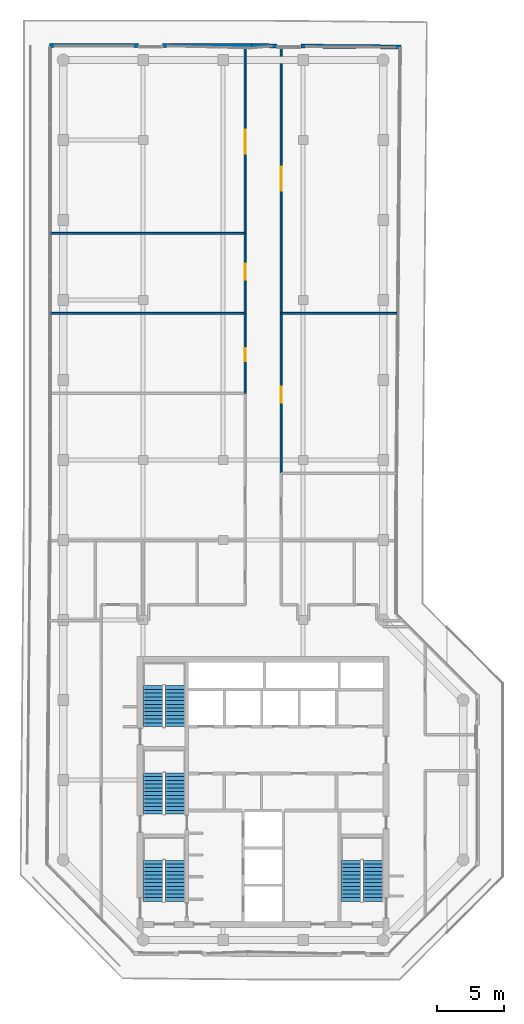
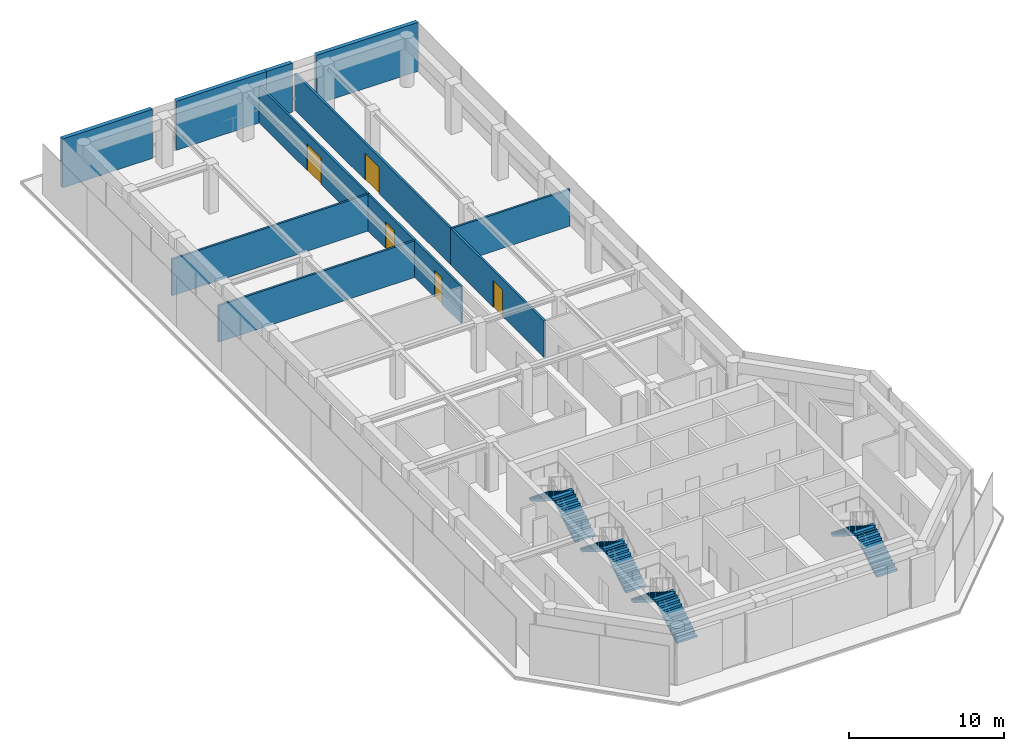
# One storey, part 17 of 19: 12 walls, 8 stair flights, 5 doors, 5 openings, 4 elements without a shape of their own.
"""IFC4 building model written with IfcOpenShell, lengths in metres."""

from ifc_helpers import new_model, si_unit, direction, frame, frame_2d, origin, place, context, subcontext, project, spatial, polyline, rectangle, outline, extrude, material, layer, layer_set, type_object, element, fill, aggregate, save


model = new_model("IFC4")

# Units and contexts
model_context = context("Model", 3, precision=1e-05, world=origin(), true_north=direction((0.0, 1.0)))
body_context = subcontext(model_context, "Body", "Model", "MODEL_VIEW")
ifc_project = project(units=[si_unit("LENGTHUNIT", "METRE"), si_unit("AREAUNIT", "SQUARE_METRE"), si_unit("VOLUMEUNIT", "CUBIC_METRE"), si_unit("PLANEANGLEUNIT", "RADIAN"), si_unit("MASSUNIT", "GRAM", prefix="KILO")], contexts=[model_context])

# Site, building, storey
site_placement = place(None, origin())
site = spatial("IfcSite", under=ifc_project, at=site_placement, CompositionType="ELEMENT")
building_placement = place(site_placement, origin())
building = spatial("IfcBuilding", under=site, at=building_placement, Name="Welwitschia Terrace Campus", CompositionType="ELEMENT")
storey_placement = place(building_placement, frame((0.0, 0.0, 230.60009765625)))
storey = spatial("IfcBuildingStorey", under=building, at=storey_placement, Name="L51", CompositionType="ELEMENT", Elevation=230.60009765625)

# Walls
ifc_material_1 = material(Name="Gypsum board on steel studs", Category="steel")
ifc_layer_1 = layer(ifc_material_1, 0.14990234375)
ifc_layer_set_1 = layer_set([ifc_layer_1], Name="Gypsum board on steel studs")
wall_type_1 = type_object("IfcWallType", Name="Corridor partition 150 EI 30", PredefinedType="PARTITIONING", material=ifc_layer_set_1)
for number, where, z_axis, x_axis, name in (
    (1, (-0.97998046875, 51.0, 0.0), (0.0, 0.0, 1.0), (1.0, 0.0, 0.0), "Partition"),
    (2, (-0.97998046875, 57.0, 0.0), (0.0, 0.0, 1.0), (1.0, 0.0, 0.0), "Partition"),
):
    element("IfcWall", number, at=place(storey_placement, frame(where, z_axis=z_axis, x_axis=x_axis)), inside=storey, type_object=wall_type_1, Name=name, PredefinedType="PARTITIONING", context=body_context, shape_type="SweptSolid", body=[
        extrude(rectangle(XDim=14.6298828125, YDim=0.14990234375, at=frame_2d((7.31494140625, 0.0))), origin(), (0.0, 0.0, 1.0), 2.8798828125),
    ])

# Wall, opening, door
wall_1_placement = place(storey_placement, frame((13.64990234375, 45.0, 0.0), z_axis=(0.0, 0.0, 1.0), x_axis=(0.0, 1.0, 0.0)))
wall_1 = element("IfcWall", 3, at=wall_1_placement, inside=storey, type_object=wall_type_1, Name="Partition", PredefinedType="PARTITIONING", context=body_context, shape_type="SweptSolid", body=[
    extrude(rectangle(XDim=6.0, YDim=0.14990234375, at=frame_2d((3.0, 0.0))), origin(), (0.0, 0.0, 1.0), 2.8798828125),
])
opening_1_placement = place(wall_1_placement, frame((2.39990234375, 0.0, 0.0)))
opening_1 = element("IfcOpeningElement", 4, at=opening_1_placement, cuts=wall_1, Name="Opening DI10", PredefinedType="OPENING", context=body_context, shape_type="SweptSolid", body=[
    extrude(rectangle(XDim=1.0, YDim=2.10009765625, at=frame_2d((0.5, 1.050048828125))), frame((0.0, 0.0849609375, 0.0), z_axis=(0.0, -1.0, 0.0), x_axis=(1.0, 0.0, 0.0)), (0.0, 0.0, 1.0), 0.169921875),
])
ifc_material_2 = material(Name="Timber veneered door", Category="wood")
door_type_1 = type_object("IfcDoorType", Name="Interior door DI10", OperationType="NOTDEFINED", PredefinedType="DOOR", material=ifc_material_2)
door_1_placement = place(opening_1_placement, origin())
door_1 = element("IfcDoor", 5, at=door_1_placement, inside=storey, type_object=door_type_1, Name="Door L51 952", OperationType="SINGLE_SWING_LEFT", OverallHeight=2.10009765625, OverallWidth=1.0, PredefinedType="DOOR", context=body_context, shape_type="SweptSolid", body=[
    extrude(rectangle(XDim=1.0, YDim=2.10009765625, at=frame_2d((0.5, 1.050048828125))), frame((0.0, 0.02490234375, 0.0), z_axis=(0.0, -1.0, 0.0), x_axis=(1.0, 0.0, 0.0)), (0.0, 0.0, 1.0), 0.050048828125),
])
fill(opening_1, door_1)

wall_2_placement = place(storey_placement, frame((13.64990234375, 51.0, 0.0), z_axis=(0.0, 0.0, 1.0), x_axis=(0.0, 1.0, 0.0)))
wall_2 = element("IfcWall", 6, at=wall_2_placement, inside=storey, type_object=wall_type_1, Name="Partition", PredefinedType="PARTITIONING", context=body_context, shape_type="SweptSolid", body=[
    extrude(rectangle(XDim=6.0, YDim=0.14990234375, at=frame_2d((3.0, 0.0))), origin(), (0.0, 0.0, 1.0), 2.8798828125),
])
opening_2_placement = place(wall_2_placement, frame((2.5, 0.0, 0.0)))
opening_2 = element("IfcOpeningElement", 7, at=opening_2_placement, cuts=wall_2, Name="Opening DI12", PredefinedType="OPENING", context=body_context, shape_type="SweptSolid", body=[
    extrude(rectangle(XDim=1.199951171875, YDim=2.10009765625, at=frame_2d((0.60009765625, 1.050048828125))), frame((0.0, 0.0849609375, 0.0), z_axis=(0.0, -1.0, 0.0), x_axis=(1.0, 0.0, 0.0)), (0.0, 0.0, 1.0), 0.169921875),
])
ifc_material_3 = material(Name="Timber veneered door", Category="wood")
door_type_2 = type_object("IfcDoorType", Name="Interior door DI12", OperationType="NOTDEFINED", PredefinedType="DOOR", material=ifc_material_3)
door_2_placement = place(opening_2_placement, origin())
door_2 = element("IfcDoor", 8, at=door_2_placement, inside=storey, type_object=door_type_2, Name="Door L51 953", OperationType="SINGLE_SWING_RIGHT", OverallHeight=2.10009765625, OverallWidth=1.199951171875, PredefinedType="DOOR", context=body_context, shape_type="SweptSolid", body=[
    extrude(rectangle(XDim=1.199951171875, YDim=2.10009765625, at=frame_2d((0.60009765625, 1.050048828125))), frame((0.0, 0.02490234375, 0.0), z_axis=(0.0, -1.0, 0.0), x_axis=(1.0, 0.0, 0.0)), (0.0, 0.0, 1.0), 0.050048828125),
])
fill(opening_2, door_2)

wall_3_placement = place(storey_placement, frame((13.64990234375, 71.090087890625, 0.0), z_axis=(0.0, 0.0, 1.0), x_axis=(0.0, -1.0, 0.0)))
wall_3 = element("IfcWall", 9, at=wall_3_placement, inside=storey, type_object=wall_type_1, Name="Partition", PredefinedType="PARTITIONING", context=body_context, shape_type="SweptSolid", body=[
    extrude(rectangle(XDim=14.090087890625, YDim=0.14990234375, at=frame_2d((7.044921875, 0.0))), origin(), (0.0, 0.0, 1.0), 2.8798828125),
])
opening_3_placement = place(wall_3_placement, frame((6.31005859375, 0.0, 0.0)))
opening_3 = element("IfcOpeningElement", 10, at=opening_3_placement, cuts=wall_3, Name="Opening DI18", PredefinedType="OPENING", context=body_context, shape_type="SweptSolid", body=[
    extrude(rectangle(XDim=1.800048828125, YDim=2.10009765625, at=frame_2d((0.89990234375, 1.050048828125))), frame((0.0, 0.0849609375, 0.0), z_axis=(0.0, -1.0, 0.0), x_axis=(1.0, 0.0, 0.0)), (0.0, 0.0, 1.0), 0.169921875),
])
ifc_material_4 = material(Name="Timber veneered door", Category="wood")
door_type_3 = type_object("IfcDoorType", Name="Interior door DI18", OperationType="DOUBLE_DOOR_SINGLE_SWING", PredefinedType="DOOR", material=ifc_material_4)
door_3_placement = place(opening_3_placement, origin())
door_3 = element("IfcDoor", 11, at=door_3_placement, inside=storey, type_object=door_type_3, Name="Door L51 954", OperationType="SINGLE_SWING_LEFT", OverallHeight=2.10009765625, OverallWidth=1.800048828125, PredefinedType="DOOR", context=body_context, shape_type="SweptSolid", body=[
    extrude(rectangle(XDim=1.800048828125, YDim=2.10009765625, at=frame_2d((0.89990234375, 1.050048828125))), frame((0.0, 0.02490234375, 0.0), z_axis=(0.0, -1.0, 0.0), x_axis=(1.0, 0.0, 0.0)), (0.0, 0.0, 1.0), 0.050048828125),
])
fill(opening_3, door_3)

wall_4_placement = place(storey_placement, frame((16.35009765625, 39.0, 0.0), z_axis=(0.0, 0.0, 1.0), x_axis=(0.0, 1.0, 0.0)))
wall_4 = element("IfcWall", 12, at=wall_4_placement, inside=storey, type_object=wall_type_1, Name="Partition", PredefinedType="PARTITIONING", context=body_context, shape_type="SweptSolid", body=[
    extrude(rectangle(XDim=12.0, YDim=0.14990234375, at=frame_2d((6.0, 0.0))), origin(), (0.0, 0.0, 1.0), 2.8798828125),
])
opening_4_placement = place(wall_4_placement, frame((5.300048828125, 0.0, 0.0)))
opening_4 = element("IfcOpeningElement", 13, at=opening_4_placement, cuts=wall_4, Name="Opening DI12", PredefinedType="OPENING", context=body_context, shape_type="SweptSolid", body=[
    extrude(rectangle(XDim=1.199951171875, YDim=2.10009765625, at=frame_2d((0.60009765625, 1.050048828125))), frame((0.0, 0.0849609375, 0.0), z_axis=(0.0, -1.0, 0.0), x_axis=(1.0, 0.0, 0.0)), (0.0, 0.0, 1.0), 0.169921875),
])
door_4_placement = place(opening_4_placement, origin())
door_4 = element("IfcDoor", 14, at=door_4_placement, inside=storey, type_object=door_type_2, Name="Door L51 956", OperationType="SINGLE_SWING_LEFT", OverallHeight=2.10009765625, OverallWidth=1.199951171875, PredefinedType="DOOR", context=body_context, shape_type="SweptSolid", body=[
    extrude(rectangle(XDim=1.199951171875, YDim=2.10009765625, at=frame_2d((0.60009765625, 1.050048828125))), frame((0.0, 0.02490234375, 0.0), z_axis=(0.0, -1.0, 0.0), x_axis=(1.0, 0.0, 0.0)), (0.0, 0.0, 1.0), 0.050048828125),
])
fill(opening_4, door_4)

wall_5_placement = place(storey_placement, frame((16.35009765625, 51.0, 0.0), z_axis=(0.0, 0.0, 1.0), x_axis=(0.0, 1.0, 0.0)))
wall_5 = element("IfcWall", 15, at=wall_5_placement, inside=storey, type_object=wall_type_1, Name="Partition", PredefinedType="PARTITIONING", context=body_context, shape_type="SweptSolid", body=[
    extrude(rectangle(XDim=20.070556640625, YDim=0.14990234375, at=frame_2d((10.03515625, 0.0))), origin(), (0.0, 0.0, 1.0), 2.8798828125),
])
opening_5_placement = place(wall_5_placement, frame((9.199951171875, 0.0, 0.0)))
opening_5 = element("IfcOpeningElement", 16, at=opening_5_placement, cuts=wall_5, Name="Opening DI18", PredefinedType="OPENING", context=body_context, shape_type="SweptSolid", body=[
    extrude(rectangle(XDim=1.800048828125, YDim=2.10009765625, at=frame_2d((0.89990234375, 1.050048828125))), frame((0.0, 0.0849609375, 0.0), z_axis=(0.0, -1.0, 0.0), x_axis=(1.0, 0.0, 0.0)), (0.0, 0.0, 1.0), 0.169921875),
])
door_5_placement = place(opening_5_placement, origin())
door_5 = element("IfcDoor", 17, at=door_5_placement, inside=storey, type_object=door_type_3, Name="Door L51 957", OperationType="SINGLE_SWING_LEFT", OverallHeight=2.10009765625, OverallWidth=1.800048828125, PredefinedType="DOOR", context=body_context, shape_type="SweptSolid", body=[
    extrude(rectangle(XDim=1.800048828125, YDim=2.10009765625, at=frame_2d((0.89990234375, 1.050048828125))), frame((0.0, 0.02490234375, 0.0), z_axis=(0.0, -1.0, 0.0), x_axis=(1.0, 0.0, 0.0)), (0.0, 0.0, 1.0), 0.050048828125),
])
fill(opening_5, door_5)

# Walls
wall_6_placement = place(storey_placement, frame((16.35009765625, 51.0, 0.0), z_axis=(0.0, 0.0, 1.0), x_axis=(1.0, 0.0, 0.0)))
element("IfcWall", 18, at=wall_6_placement, inside=storey, type_object=wall_type_1, Name="Partition", PredefinedType="PARTITIONING", context=body_context, shape_type="SweptSolid", body=[
    extrude(rectangle(XDim=8.760009765625, YDim=0.14990234375, at=frame_2d((4.3798828125, 0.0))), origin(), (0.0, 0.0, 1.0), 2.8798828125),
])
ifc_material_5 = material(Name="Concrete C40/50", Category="concrete")
ifc_layer_2 = layer(ifc_material_5, 0.300048828125)
ifc_layer_set_2 = layer_set([ifc_layer_2], Name="Concrete C40/50")
wall_type_2 = type_object("IfcWallType", Name="Mass wall 300", PredefinedType="SOLIDWALL", material=ifc_layer_set_2)
for number, where, z_axis, x_axis, name in (
    (19, (14.124267578125, 71.080078125, 0.0), (0.0, 0.0, 1.0), (-1.0, 0.0, 0.0), "Mass wall L51.0.0"),
    (20, (5.647216796875, 71.078125, 0.0), (0.0, 0.0, 1.0), (-1.0, 0.0, 0.0), "Mass wall L51.0.1"),
):
    element("IfcWall", number, at=place(storey_placement, frame(where, z_axis=z_axis, x_axis=x_axis)), inside=storey, type_object=wall_type_2, Name=name, PredefinedType="SOLIDWALL", context=body_context, shape_type="SweptSolid", body=[
        extrude(rectangle(XDim=6.67724609375, YDim=0.300048828125, at=frame_2d((3.338623046875, 0.0))), origin(), (0.0, 0.0, 1.0), 3.849853515625),
    ])
wall_7_placement = place(storey_placement, frame((25.332275390625, 70.980224609375, 0.0), z_axis=(0.0, 0.0, 1.0), x_axis=(-0.999961723794, 0.008749339829, 0.0)))
element("IfcWall", 21, at=wall_7_placement, inside=storey, type_object=wall_type_2, Name="Mass wall L51.11.0", PredefinedType="SOLIDWALL", context=body_context, shape_type="SweptSolid", body=[
    extrude(rectangle(XDim=7.506103515625, YDim=0.300048828125, at=frame_2d((3.7529296875, 0.0))), origin(), (0.0, 0.0, 1.0), 3.849853515625),
])
wall_8_placement = place(storey_placement, frame((16.026611328125, 71.0634765625, 0.0), z_axis=(0.0, 0.0, 1.0), x_axis=(-0.999961913014, 0.008727687086, 0.0)))
element("IfcWall", 22, at=wall_8_placement, inside=storey, type_object=wall_type_2, Name="Mass wall L51.11.1", PredefinedType="SOLIDWALL", context=body_context, shape_type="SweptSolid", body=[
    extrude(rectangle(XDim=1.902099609375, YDim=0.300048828125, at=frame_2d((0.951171875, 0.0))), origin(), (0.0, 0.0, 1.0), 3.849853515625),
])

# Stair, stair flights
ifc_material_6 = material(Name="Concrete C40/50", Category="concrete")
stair_type = type_object("IfcStairType", Name="Stair 24R 175 W1500", PredefinedType="HALF_TURN_STAIR", material=ifc_material_6)
stair_1_placement = place(storey_placement, origin())
stair_1 = element("IfcStair", 23, at=stair_1_placement, inside=storey, type_object=stair_type, Name="L51 Exit stair S1", PredefinedType="HALF_TURN_STAIR")
ifc_material_7 = material(Name="Concrete C40/50", Category="concrete")
stair_flight_type = type_object("IfcStairFlightType", Name="Stair flight 24R 175 W1500", PredefinedType="STRAIGHT", material=ifc_material_7)
stair_flight_1_placement = place(storey_placement, frame((8.39990234375, 6.89990234375, 0.0), z_axis=(0.0, 0.0, 1.0), x_axis=(0.0, 1.0, 0.0)))
stair_flight_1 = element("IfcStairFlight", 24, at=stair_flight_1_placement, type_object=stair_flight_type, Name="S1 flight 1", NumberOfRisers=12, NumberOfTreads=11, PredefinedType="STRAIGHT", RiserHeight=0.175, TreadLength=0.28, context=body_context, shape_type="SweptSolid", body=[
    extrude(outline(polyline([(0.0, 0.0), (0.0, 0.175048828125), (0.280029296875, 0.175048828125), (0.280029296875, 0.35009765625), (0.56005859375, 0.35009765625), (0.56005859375, 0.52490234375), (0.840087890625, 0.52490234375), (0.840087890625, 0.699951171875), (1.1201171875, 0.699951171875), (1.1201171875, 0.875), (1.39990234375, 0.875), (1.39990234375, 1.050048828125), (1.679931640625, 1.050048828125), (1.679931640625, 1.22509765625), (1.9599609375, 1.22509765625), (1.9599609375, 1.39990234375), (2.239990234375, 1.39990234375), (2.239990234375, 1.574951171875), (2.52001953125, 1.574951171875), (2.52001953125, 1.75), (2.800048828125, 1.75), (2.800048828125, 1.925048828125), (3.080078125, 1.925048828125), (3.080078125, 2.10009765625), (3.080078125, 1.748291015625), (0.28271484375, 0.0), (0.0, 0.0)])), frame((0.0, 0.75, 0.0), z_axis=(0.0, -1.0, 0.0), x_axis=(1.0, 0.0, 0.0)), (0.0, 0.0, 1.0), 1.5),
])
stair_flight_2_placement = place(storey_placement, frame((6.75, 9.97998046875, 2.099853515625), z_axis=(0.0, 0.0, 1.0), x_axis=(0.0, -1.0, 0.0)))
stair_flight_2 = element("IfcStairFlight", 25, at=stair_flight_2_placement, type_object=stair_flight_type, Name="S1 flight 2", NumberOfRisers=12, NumberOfTreads=11, PredefinedType="STRAIGHT", RiserHeight=0.175, TreadLength=0.28, context=body_context, shape_type="SweptSolid", body=[
    extrude(outline(polyline([(0.0, 0.0), (0.0, 0.175048828125), (0.280029296875, 0.175048828125), (0.280029296875, 0.35009765625), (0.56005859375, 0.35009765625), (0.56005859375, 0.52490234375), (0.840087890625, 0.52490234375), (0.840087890625, 0.699951171875), (1.1201171875, 0.699951171875), (1.1201171875, 0.875), (1.39990234375, 0.875), (1.39990234375, 1.050048828125), (1.679931640625, 1.050048828125), (1.679931640625, 1.22509765625), (1.9599609375, 1.22509765625), (1.9599609375, 1.39990234375), (2.239990234375, 1.39990234375), (2.239990234375, 1.574951171875), (2.52001953125, 1.574951171875), (2.52001953125, 1.75), (2.800048828125, 1.75), (2.800048828125, 1.925048828125), (3.080078125, 1.925048828125), (3.080078125, 2.10009765625), (3.080078125, 1.748291015625), (0.28271484375, 0.0), (0.0, 0.0)])), frame((0.0, 0.75, 0.0), z_axis=(0.0, -1.0, 0.0), x_axis=(1.0, 0.0, 0.0)), (0.0, 0.0, 1.0), 1.5),
])
aggregate(stair_1, [stair_flight_1, stair_flight_2])

stair_2_placement = place(storey_placement, origin())
stair_2 = element("IfcStair", 26, at=stair_2_placement, inside=storey, type_object=stair_type, Name="L51 Exit stair S3", PredefinedType="HALF_TURN_STAIR")
stair_flight_3_placement = place(storey_placement, frame((8.39990234375, 13.449951171875, 0.0), z_axis=(0.0, 0.0, 1.0), x_axis=(0.0, 1.0, 0.0)))
stair_flight_3 = element("IfcStairFlight", 27, at=stair_flight_3_placement, type_object=stair_flight_type, Name="S3 flight 1", NumberOfRisers=12, NumberOfTreads=11, PredefinedType="STRAIGHT", RiserHeight=0.175, TreadLength=0.28, context=body_context, shape_type="SweptSolid", body=[
    extrude(outline(polyline([(0.0, 0.0), (0.0, 0.175048828125), (0.280029296875, 0.175048828125), (0.280029296875, 0.35009765625), (0.56005859375, 0.35009765625), (0.56005859375, 0.52490234375), (0.840087890625, 0.52490234375), (0.840087890625, 0.699951171875), (1.1201171875, 0.699951171875), (1.1201171875, 0.875), (1.39990234375, 0.875), (1.39990234375, 1.050048828125), (1.679931640625, 1.050048828125), (1.679931640625, 1.22509765625), (1.9599609375, 1.22509765625), (1.9599609375, 1.39990234375), (2.239990234375, 1.39990234375), (2.239990234375, 1.574951171875), (2.52001953125, 1.574951171875), (2.52001953125, 1.75), (2.800048828125, 1.75), (2.800048828125, 1.925048828125), (3.080078125, 1.925048828125), (3.080078125, 2.10009765625), (3.080078125, 1.748291015625), (0.28271484375, 0.0), (0.0, 0.0)])), frame((0.0, 0.75, 0.0), z_axis=(0.0, -1.0, 0.0), x_axis=(1.0, 0.0, 0.0)), (0.0, 0.0, 1.0), 1.5),
])
stair_flight_4_placement = place(storey_placement, frame((6.75, 16.530029296875, 2.099853515625), z_axis=(0.0, 0.0, 1.0), x_axis=(0.0, -1.0, 0.0)))
stair_flight_4 = element("IfcStairFlight", 28, at=stair_flight_4_placement, type_object=stair_flight_type, Name="S3 flight 2", NumberOfRisers=12, NumberOfTreads=11, PredefinedType="STRAIGHT", RiserHeight=0.175, TreadLength=0.28, context=body_context, shape_type="SweptSolid", body=[
    extrude(outline(polyline([(0.0, 0.0), (0.0, 0.175048828125), (0.280029296875, 0.175048828125), (0.280029296875, 0.35009765625), (0.56005859375, 0.35009765625), (0.56005859375, 0.52490234375), (0.840087890625, 0.52490234375), (0.840087890625, 0.699951171875), (1.1201171875, 0.699951171875), (1.1201171875, 0.875), (1.39990234375, 0.875), (1.39990234375, 1.050048828125), (1.679931640625, 1.050048828125), (1.679931640625, 1.22509765625), (1.9599609375, 1.22509765625), (1.9599609375, 1.39990234375), (2.239990234375, 1.39990234375), (2.239990234375, 1.574951171875), (2.52001953125, 1.574951171875), (2.52001953125, 1.75), (2.800048828125, 1.75), (2.800048828125, 1.925048828125), (3.080078125, 1.925048828125), (3.080078125, 2.10009765625), (3.080078125, 1.748291015625), (0.28271484375, 0.0), (0.0, 0.0)])), frame((0.0, 0.75, 0.0), z_axis=(0.0, -1.0, 0.0), x_axis=(1.0, 0.0, 0.0)), (0.0, 0.0, 1.0), 1.5),
])
aggregate(stair_2, [stair_flight_3, stair_flight_4])

stair_3_placement = place(storey_placement, origin())
stair_3 = element("IfcStair", 29, at=stair_3_placement, inside=storey, type_object=stair_type, Name="L51 Exit stair S4", PredefinedType="HALF_TURN_STAIR")
stair_flight_5_placement = place(storey_placement, frame((8.39990234375, 20.0, 0.0), z_axis=(0.0, 0.0, 1.0), x_axis=(0.0, 1.0, 0.0)))
stair_flight_5 = element("IfcStairFlight", 30, at=stair_flight_5_placement, type_object=stair_flight_type, Name="S4 flight 1", NumberOfRisers=12, NumberOfTreads=11, PredefinedType="STRAIGHT", RiserHeight=0.175, TreadLength=0.28, context=body_context, shape_type="SweptSolid", body=[
    extrude(outline(polyline([(0.0, 0.0), (0.0, 0.175048828125), (0.280029296875, 0.175048828125), (0.280029296875, 0.35009765625), (0.56005859375, 0.35009765625), (0.56005859375, 0.52490234375), (0.840087890625, 0.52490234375), (0.840087890625, 0.699951171875), (1.1201171875, 0.699951171875), (1.1201171875, 0.875), (1.39990234375, 0.875), (1.39990234375, 1.050048828125), (1.679931640625, 1.050048828125), (1.679931640625, 1.22509765625), (1.9599609375, 1.22509765625), (1.9599609375, 1.39990234375), (2.239990234375, 1.39990234375), (2.239990234375, 1.574951171875), (2.52001953125, 1.574951171875), (2.52001953125, 1.75), (2.800048828125, 1.75), (2.800048828125, 1.925048828125), (3.080078125, 1.925048828125), (3.080078125, 2.10009765625), (3.080078125, 1.748291015625), (0.28271484375, 0.0), (0.0, 0.0)])), frame((0.0, 0.75, 0.0), z_axis=(0.0, -1.0, 0.0), x_axis=(1.0, 0.0, 0.0)), (0.0, 0.0, 1.0), 1.5),
])
stair_flight_6_placement = place(storey_placement, frame((6.75, 23.080078125, 2.099853515625), z_axis=(0.0, 0.0, 1.0), x_axis=(0.0, -1.0, 0.0)))
stair_flight_6 = element("IfcStairFlight", 31, at=stair_flight_6_placement, type_object=stair_flight_type, Name="S4 flight 2", NumberOfRisers=12, NumberOfTreads=11, PredefinedType="STRAIGHT", RiserHeight=0.175, TreadLength=0.28, context=body_context, shape_type="SweptSolid", body=[
    extrude(outline(polyline([(0.0, 0.0), (0.0, 0.175048828125), (0.280029296875, 0.175048828125), (0.280029296875, 0.35009765625), (0.56005859375, 0.35009765625), (0.56005859375, 0.52490234375), (0.840087890625, 0.52490234375), (0.840087890625, 0.699951171875), (1.1201171875, 0.699951171875), (1.1201171875, 0.875), (1.39990234375, 0.875), (1.39990234375, 1.050048828125), (1.679931640625, 1.050048828125), (1.679931640625, 1.22509765625), (1.9599609375, 1.22509765625), (1.9599609375, 1.39990234375), (2.239990234375, 1.39990234375), (2.239990234375, 1.574951171875), (2.52001953125, 1.574951171875), (2.52001953125, 1.75), (2.800048828125, 1.75), (2.800048828125, 1.925048828125), (3.080078125, 1.925048828125), (3.080078125, 2.10009765625), (3.080078125, 1.748291015625), (0.28271484375, 0.0), (0.0, 0.0)])), frame((0.0, 0.75, 0.0), z_axis=(0.0, -1.0, 0.0), x_axis=(1.0, 0.0, 0.0)), (0.0, 0.0, 1.0), 1.5),
])
aggregate(stair_3, [stair_flight_5, stair_flight_6])

stair_4_placement = place(storey_placement, origin())
stair_4 = element("IfcStair", 32, at=stair_4_placement, inside=storey, type_object=stair_type, Name="L51 Exit stair S2", PredefinedType="HALF_TURN_STAIR")
stair_flight_7_placement = place(storey_placement, frame((23.25, 6.89990234375, 0.0), z_axis=(0.0, 0.0, 1.0), x_axis=(0.0, 1.0, 0.0)))
stair_flight_7 = element("IfcStairFlight", 33, at=stair_flight_7_placement, type_object=stair_flight_type, Name="S2 flight 1", NumberOfRisers=12, NumberOfTreads=11, PredefinedType="STRAIGHT", RiserHeight=0.175, TreadLength=0.28, context=body_context, shape_type="SweptSolid", body=[
    extrude(outline(polyline([(0.0, 0.0), (0.0, 0.175048828125), (0.280029296875, 0.175048828125), (0.280029296875, 0.35009765625), (0.56005859375, 0.35009765625), (0.56005859375, 0.52490234375), (0.840087890625, 0.52490234375), (0.840087890625, 0.699951171875), (1.1201171875, 0.699951171875), (1.1201171875, 0.875), (1.39990234375, 0.875), (1.39990234375, 1.050048828125), (1.679931640625, 1.050048828125), (1.679931640625, 1.22509765625), (1.9599609375, 1.22509765625), (1.9599609375, 1.39990234375), (2.239990234375, 1.39990234375), (2.239990234375, 1.574951171875), (2.52001953125, 1.574951171875), (2.52001953125, 1.75), (2.800048828125, 1.75), (2.800048828125, 1.925048828125), (3.080078125, 1.925048828125), (3.080078125, 2.10009765625), (3.080078125, 1.748291015625), (0.28271484375, 0.0), (0.0, 0.0)])), frame((0.0, 0.75, 0.0), z_axis=(0.0, -1.0, 0.0), x_axis=(1.0, 0.0, 0.0)), (0.0, 0.0, 1.0), 1.5),
])
stair_flight_8_placement = place(storey_placement, frame((21.60009765625, 9.97998046875, 2.099853515625), z_axis=(0.0, 0.0, 1.0), x_axis=(0.0, -1.0, 0.0)))
stair_flight_8 = element("IfcStairFlight", 34, at=stair_flight_8_placement, type_object=stair_flight_type, Name="S2 flight 2", NumberOfRisers=12, NumberOfTreads=11, PredefinedType="STRAIGHT", RiserHeight=0.175, TreadLength=0.28, context=body_context, shape_type="SweptSolid", body=[
    extrude(outline(polyline([(0.0, 0.0), (0.0, 0.175048828125), (0.280029296875, 0.175048828125), (0.280029296875, 0.35009765625), (0.56005859375, 0.35009765625), (0.56005859375, 0.52490234375), (0.840087890625, 0.52490234375), (0.840087890625, 0.699951171875), (1.1201171875, 0.699951171875), (1.1201171875, 0.875), (1.39990234375, 0.875), (1.39990234375, 1.050048828125), (1.679931640625, 1.050048828125), (1.679931640625, 1.22509765625), (1.9599609375, 1.22509765625), (1.9599609375, 1.39990234375), (2.239990234375, 1.39990234375), (2.239990234375, 1.574951171875), (2.52001953125, 1.574951171875), (2.52001953125, 1.75), (2.800048828125, 1.75), (2.800048828125, 1.925048828125), (3.080078125, 1.925048828125), (3.080078125, 2.10009765625), (3.080078125, 1.748291015625), (0.28271484375, 0.0), (0.0, 0.0)])), frame((0.0, 0.75, 0.0), z_axis=(0.0, -1.0, 0.0), x_axis=(1.0, 0.0, 0.0)), (0.0, 0.0, 1.0), 1.5),
])
aggregate(stair_4, [stair_flight_7, stair_flight_8])

save(model, "model.ifc")
